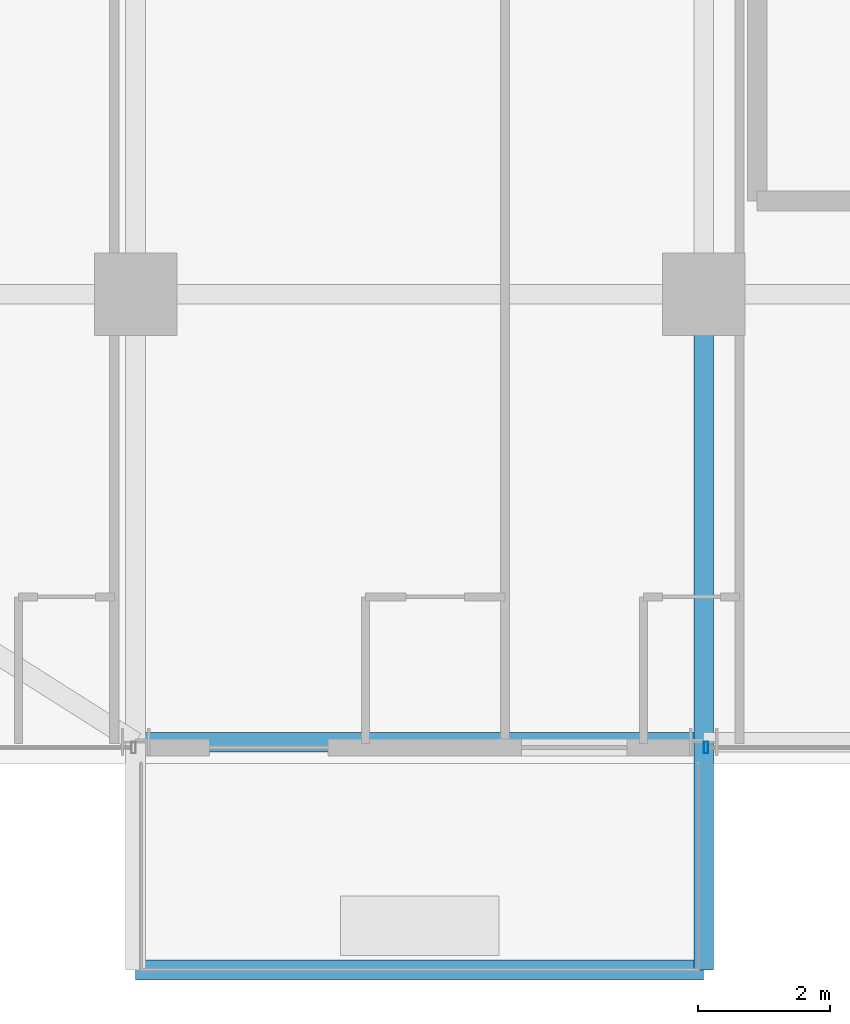
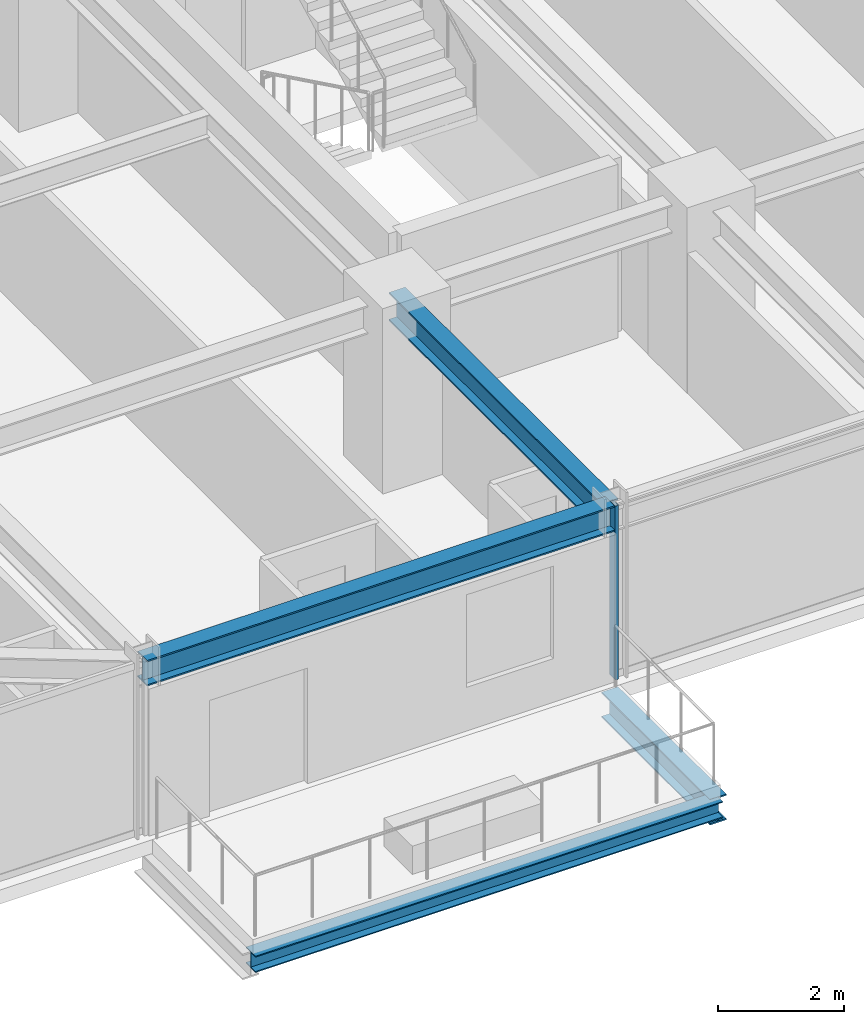
# One storey, part 3 of 32: 4 beams, 1 member, 1 element without a shape of its own.
"""IFC4 building model written with IfcOpenShell, lengths in metres."""

from ifc_helpers import new_model, si_unit, direction, frame, origin, origin_2d, place, context, subcontext, project, spatial, hollow_rectangle, i_section, extrude, source, transform, mapped, material, material_profile, profile_set, type_object, element, aggregate, save


model = new_model("IFC4")

# Units and contexts
model_context = context("Model", 3, precision=1e-05, world=origin(), true_north=direction((0.0, 1.0)))
body_context = subcontext(model_context, "Body", "Model", "MODEL_VIEW")
ifc_project = project(units=[si_unit("LENGTHUNIT", "METRE"), si_unit("AREAUNIT", "SQUARE_METRE"), si_unit("VOLUMEUNIT", "CUBIC_METRE"), si_unit("PLANEANGLEUNIT", "RADIAN"), si_unit("MASSUNIT", "GRAM", prefix="KILO")], contexts=[model_context])

# Site, building, storey
site_placement = place(None, origin())
site = spatial("IfcSite", under=ifc_project, at=site_placement, CompositionType="ELEMENT")
building_placement = place(site_placement, origin())
building = spatial("IfcBuilding", under=site, at=building_placement, Name="Nahalor Promenade Grand Hotel", CompositionType="ELEMENT")
storey_placement = place(building_placement, frame((0.0, 0.0, 102.89990234375)))
storey = spatial("IfcBuildingStorey", under=building, at=storey_placement, Name="L25", CompositionType="ELEMENT", Elevation=102.89990234375)

# Beams
ifc_material_1 = material(Name="Steel S355JR", Category="steel")
ifc_material_profile_1 = material_profile(ifc_material_1, i_section(OverallWidth=0.3, OverallDepth=0.32, WebThickness=0.0115, FlangeThickness=0.0205, at=origin_2d()), Name="HEB 320")
ifc_profile_set_1 = profile_set([ifc_material_profile_1], Name="Steel S355JR")
beam_type_1 = type_object("IfcBeamType", Name="Beam-BalcEdge-HEB320", PredefinedType="SPANDREL", material=ifc_profile_set_1)
shared_shape_1 = source(origin(), body_context, "Body", "SweptSolid", [
    extrude(i_section(OverallWidth=0.3, OverallDepth=0.32, WebThickness=0.0115, FlangeThickness=0.0205, at=origin_2d()), origin(), (0.0, 0.0, 1.0), 8.60009765625),
])
beam_1_placement = place(storey_placement, frame((-17.0, -27.22998046875, -0.43994140625), z_axis=(1.0, 0.0, 0.0), x_axis=(0.0, 1.0, 0.0)))
element("IfcBeam", 1, at=beam_1_placement, inside=storey, type_object=beam_type_1, Name="BM-L25-BC-01-F", PredefinedType="SPANDREL", context=body_context, shape_type="MappedRepresentation", body=[
    mapped(shared_shape_1, transform((0.0, 0.0, 0.0), scale=1.0)),
])
ifc_material_profile_2 = material_profile(ifc_material_1, i_section(OverallWidth=0.3, OverallDepth=0.5, WebThickness=0.0145, FlangeThickness=0.028, at=origin_2d()), Name="HEB 500")
ifc_profile_set_2 = profile_set([ifc_material_profile_2], Name="Steel S355JR")
beam_type_2 = type_object("IfcBeamType", Name="Beam-Outrigger-HEB500", PredefinedType="BEAM", material=ifc_profile_set_2)
shared_shape_2 = source(origin(), body_context, "Body", "SweptSolid", [
    extrude(i_section(OverallWidth=0.3, OverallDepth=0.5, WebThickness=0.0145, FlangeThickness=0.028, at=origin_2d()), origin(), (0.0, 0.0, 1.0), 3.449951171875),
])
beam_2_placement = place(storey_placement, frame((-8.39990234375, -27.22998046875, -0.52978515625), z_axis=(0.0, 1.0, 0.0), x_axis=(-1.0, 0.0, 0.0)))
element("IfcBeam", 2, at=beam_2_placement, inside=storey, type_object=beam_type_2, Name="BM-L25-BC-01-2", PredefinedType="BEAM", context=body_context, shape_type="MappedRepresentation", body=[
    mapped(shared_shape_2, transform((0.0, 0.0, 0.0), scale=1.0)),
])
ifc_material_profile_3 = material_profile(ifc_material_1, i_section(OverallWidth=0.3, OverallDepth=0.5, WebThickness=0.0145, FlangeThickness=0.028, at=origin_2d()), Name="HEB 500")
ifc_profile_set_3 = profile_set([ifc_material_profile_3], Name="Steel S355JR")
beam_type_3 = type_object("IfcBeamType", Name="Beam-Spandrel-HEB500", PredefinedType="SPANDREL", material=ifc_profile_set_3)
shared_shape_3 = source(origin(), body_context, "Body", "SweptSolid", [
    extrude(i_section(OverallWidth=0.3, OverallDepth=0.5, WebThickness=0.0145, FlangeThickness=0.028, at=origin_2d()), origin(), (0.0, 0.0, 1.0), 8.60009765625),
])
beam_3_placement = place(storey_placement, frame((-17.0, -23.780029296875, 3.130126953125), z_axis=(1.0, 0.0, 0.0), x_axis=(0.0, 1.0, 0.0)))
element("IfcBeam", 3, at=beam_3_placement, inside=storey, type_object=beam_type_3, Name="BM-L25-SP-S-0", PredefinedType="SPANDREL", context=body_context, shape_type="MappedRepresentation", body=[
    mapped(shared_shape_3, transform((0.0, 0.0, 0.0), scale=1.0)),
])
ifc_material_profile_4 = material_profile(ifc_material_1, i_section(OverallWidth=0.3, OverallDepth=0.55, WebThickness=0.015, FlangeThickness=0.029, at=origin_2d()), Name="HEB 550")
ifc_profile_set_4 = profile_set([ifc_material_profile_4], Name="Steel S355JR")
beam_type_4 = type_object("IfcBeamType", Name="Beam-Girder-HEB550", PredefinedType="BEAM", material=ifc_profile_set_4)
shared_shape_4 = source(origin(), body_context, "Body", "SweptSolid", [
    extrude(i_section(OverallWidth=0.3, OverallDepth=0.55, WebThickness=0.015, FlangeThickness=0.029, at=origin_2d()), origin(), (0.0, 0.0, 1.0), 6.780029296875),
])
beam_4_placement = place(storey_placement, frame((-8.39990234375, -23.780029296875, 3.10498046875), z_axis=(0.0, 1.0, 0.0), x_axis=(-1.0, 0.0, 0.0)))
element("IfcBeam", 4, at=beam_4_placement, inside=storey, type_object=beam_type_4, Name="BM-L25-GY-1-0", PredefinedType="BEAM", context=body_context, shape_type="MappedRepresentation", body=[
    mapped(shared_shape_4, transform((0.0, 0.0, 0.0), scale=1.0)),
])

# Curtain wall, member
ifc_material_2 = material(Name="Anodised Bronze Aluminium EN AW-6063 T6", Category="aluminium")
curtain_wall_type = type_object("IfcCurtainWallType", Name="CW2 Typical Hotel Flush Bronze Unitised Curtain Wall", PredefinedType="USERDEFINED", material=ifc_material_2)
curtain_wall_placement = place(storey_placement, origin())
curtain_wall = element("IfcCurtainWall", 5, at=curtain_wall_placement, inside=storey, type_object=curtain_wall_type, Name="L25 Curtain Wall CW-L25-S-3", ObjectType="UNITISED_CURTAIN_WALL", PredefinedType="USERDEFINED")
ifc_material_profile_5 = material_profile(ifc_material_2, hollow_rectangle(XDim=0.065, YDim=0.18, WallThickness=0.004, at=origin_2d()), Name="CWM 65x180x4")
ifc_profile_set_5 = profile_set([ifc_material_profile_5], Name="Anodised Bronze Aluminium EN AW-6063 T6")
member_type = type_object("IfcMemberType", Name="CWM2 Typical Bronze Mullion 65x180", PredefinedType="MULLION", material=ifc_profile_set_5)
shared_shape_5 = source(origin(), body_context, "Body", "SweptSolid", [
    extrude(hollow_rectangle(XDim=0.065, YDim=0.18, WallThickness=0.004, at=origin_2d()), origin(), (0.0, 0.0, 1.0), 3.380126953125),
])
member_placement = place(storey_placement, frame((-8.367431640625, -23.860107421875, 0.0), z_axis=(0.0, 0.0, 1.0), x_axis=(1.0, 0.0, 0.0)))
member = element("IfcMember", 6, at=member_placement, type_object=member_type, Name="CW-L25-S-3 Mullion 0", PredefinedType="MULLION", context=body_context, shape_type="MappedRepresentation", body=[
    mapped(shared_shape_5, transform((0.0, 0.0, 0.0), scale=1.0)),
])
aggregate(curtain_wall, [member])

save(model, "model.ifc")
